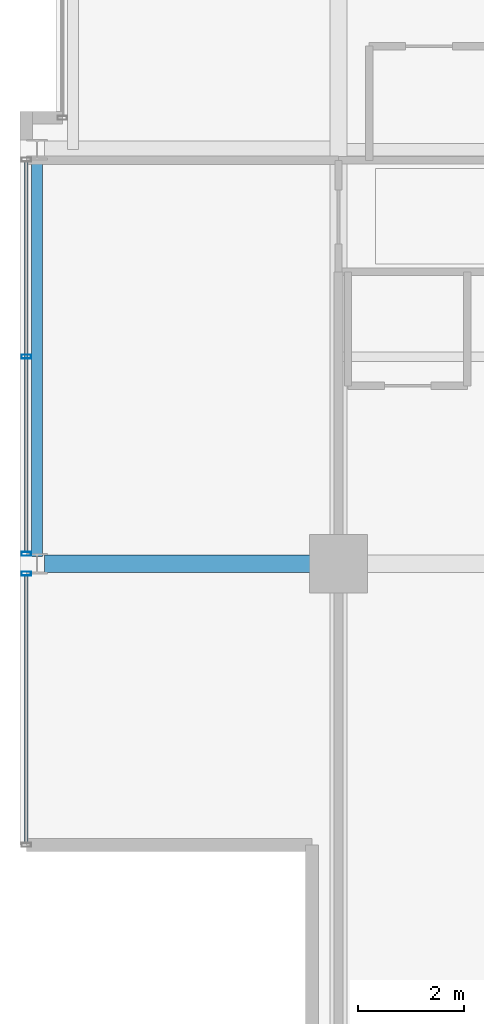
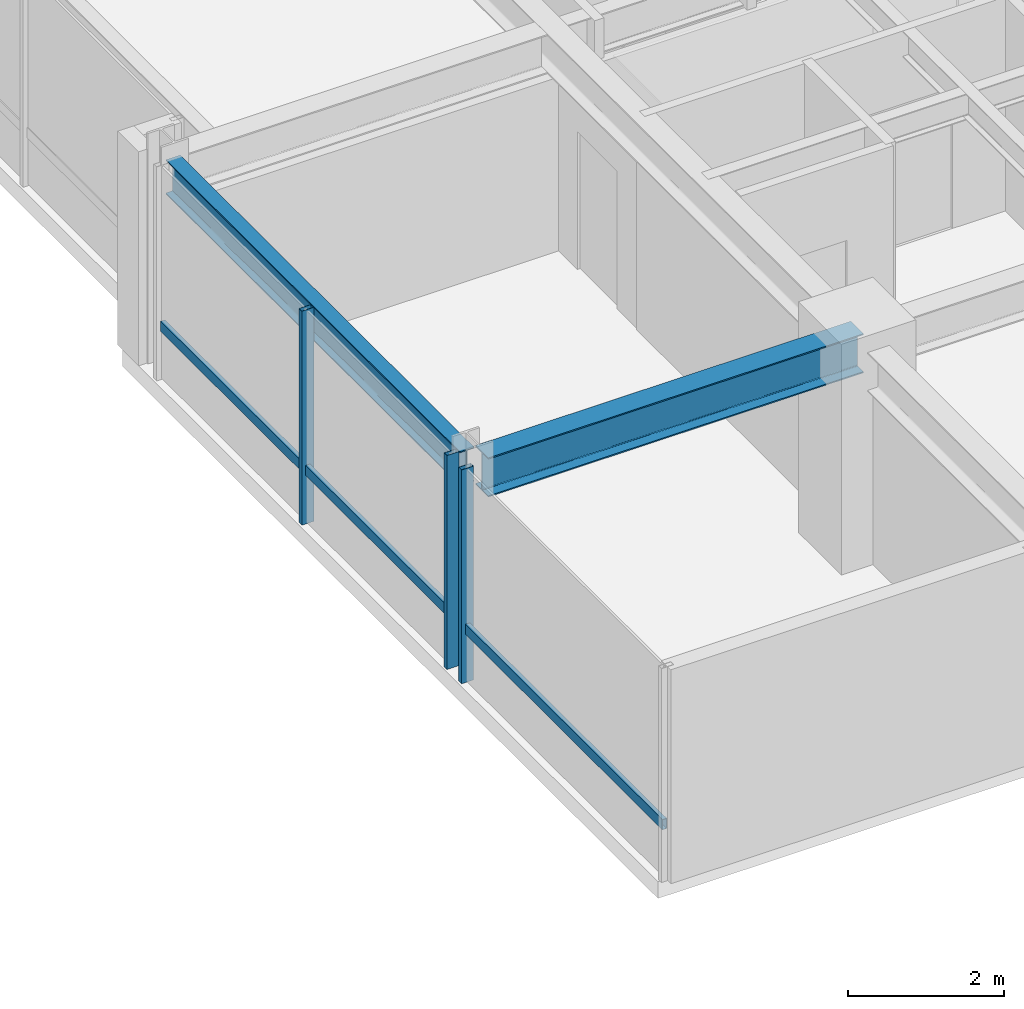
# One storey, part 4 of 34: 5 members, 2 beams, 2 elements without a shape of their own.
"""IFC4 building model written with IfcOpenShell, lengths in metres."""

from ifc_helpers import new_model, si_unit, direction, frame, origin, origin_2d, place, context, subcontext, project, spatial, hollow_rectangle, i_section, extrude, material, layer, layer_set, material_profile, profile_set, type_object, element, aggregate, save


model = new_model("IFC4")

# Units and contexts
model_context = context("Model", 3, precision=1e-05, world=origin(), true_north=direction((0.0, 1.0)))
body_context = subcontext(model_context, "Body", "Model", "MODEL_VIEW")
ifc_project = project(units=[si_unit("LENGTHUNIT", "METRE"), si_unit("AREAUNIT", "SQUARE_METRE"), si_unit("VOLUMEUNIT", "CUBIC_METRE"), si_unit("PLANEANGLEUNIT", "RADIAN"), si_unit("MASSUNIT", "GRAM", prefix="KILO")], contexts=[model_context])

# Site, building, storey
site_placement = place(None, origin())
site = spatial("IfcSite", under=ifc_project, at=site_placement, CompositionType="ELEMENT")
building_placement = place(site_placement, origin())
building = spatial("IfcBuilding", under=site, at=building_placement, Name="Drelvath Grand Hotel", CompositionType="ELEMENT")
storey_placement = place(building_placement, frame((0.0, 0.0, 208.699951171875)))
storey = spatial("IfcBuildingStorey", under=building, at=storey_placement, Name="L54", CompositionType="ELEMENT", Elevation=208.699951171875)

# Curtain wall, member
ifc_material_1 = material(Name="Platinum-Mist Anodised Aluminium Frame", Category="aluminium")
ifc_layer = layer(ifc_material_1, 0.199951171875)
ifc_layer_set = layer_set([ifc_layer], Name="Platinum-Mist Anodised Aluminium Frame")
curtain_wall_type = type_object("IfcCurtainWallType", Name="Stick Curtain Wall CW-05 Platinum Mist High-Rise", PredefinedType="NOTDEFINED", material=ifc_layer_set)
curtain_wall_1_placement = place(storey_placement, origin())
curtain_wall_1 = element("IfcCurtainWall", 1, at=curtain_wall_1_placement, inside=storey, type_object=curtain_wall_type, Name="L54 CW-05 Curtain Wall CW05-L54-WS1", PredefinedType="NOTDEFINED")
ifc_material_profile_1 = material_profile(ifc_material_1, hollow_rectangle(XDim=0.06494140625, YDim=0.159912109375, WallThickness=0.00390625, at=origin_2d()), Name="HSS160X65X4")
ifc_profile_set_1 = profile_set([ifc_material_profile_1], Name="Platinum-Mist Anodised Aluminium Frame")
member_type_1 = type_object("IfcMemberType", Name="Curtain Wall Horizontal Transom CW-05 HSS160X65X4", PredefinedType="USERDEFINED", material=ifc_profile_set_1)
member_1_placement = place(storey_placement, frame((-22.080078125, 5.5400390625, 0.8349609375), z_axis=(0.0, 1.0, 0.0), x_axis=(-1.0, 0.0, 0.0)))
member_1 = element("IfcMember", 2, at=member_1_placement, type_object=member_type_1, Name="CW05-L54-WS1 Sill Transom", ObjectType="TRANSOM", PredefinedType="USERDEFINED", context=body_context, shape_type="SweptSolid", body=[
    extrude(hollow_rectangle(XDim=0.06494140625, YDim=0.159912109375, WallThickness=0.00390625, at=origin_2d()), origin(), (0.0, 0.0, 1.0), 5.03466796875),
])

curtain_wall_2_placement = place(storey_placement, origin())
curtain_wall_2 = element("IfcCurtainWall", 3, at=curtain_wall_2_placement, inside=storey, type_object=curtain_wall_type, Name="L54 CW-05 Curtain Wall CW05-L54-WS2", PredefinedType="NOTDEFINED")
member_2_placement = place(storey_placement, frame((-22.080078125, 11.025390625, 0.8349609375), z_axis=(0.0, 1.0, 0.0), x_axis=(-1.0, 0.0, 0.0)))
member_2 = element("IfcMember", 4, at=member_2_placement, type_object=member_type_1, Name="CW05-L54-WS2 Sill Transom", ObjectType="TRANSOM", PredefinedType="USERDEFINED", context=body_context, shape_type="SweptSolid", body=[
    extrude(hollow_rectangle(XDim=0.06494140625, YDim=0.159912109375, WallThickness=0.00390625, at=origin_2d()), origin(), (0.0, 0.0, 1.0), 7.349365234375),
])

# Member
ifc_material_profile_2 = material_profile(ifc_material_1, hollow_rectangle(XDim=0.074951171875, YDim=0.179931640625, WallThickness=0.0048828125, at=origin_2d()), Name="HSS180X75X5")
ifc_profile_set_2 = profile_set([ifc_material_profile_2], Name="Platinum-Mist Anodised Aluminium Frame")
member_type_2 = type_object("IfcMemberType", Name="Curtain Wall Vertical Mullion CW-05 HSS180X75X5", PredefinedType="MULLION", material=ifc_profile_set_2)
member_3_placement = place(storey_placement, frame((-22.080078125, 10.61474609375, 0.0), z_axis=(0.0, 0.0, 1.0), x_axis=(0.0, 1.0, 0.0)))
member_3 = element("IfcMember", 5, at=member_3_placement, type_object=member_type_2, Name="CW05-L54-WS1 Mullion 2", PredefinedType="MULLION", context=body_context, shape_type="SweptSolid", body=[
    extrude(hollow_rectangle(XDim=0.074951171875, YDim=0.179931640625, WallThickness=0.0048828125, at=origin_2d()), origin(), (0.0, 0.0, 1.0), 3.340087890625),
])

aggregate(curtain_wall_1, [member_3, member_1])

member_4_placement = place(storey_placement, frame((-22.080078125, 10.9853515625, 0.0), z_axis=(0.0, 0.0, 1.0), x_axis=(0.0, 1.0, 0.0)))
member_4 = element("IfcMember", 6, at=member_4_placement, type_object=member_type_2, Name="CW05-L54-WS2 Mullion 1", PredefinedType="MULLION", context=body_context, shape_type="SweptSolid", body=[
    extrude(hollow_rectangle(XDim=0.074951171875, YDim=0.179931640625, WallThickness=0.0048828125, at=origin_2d()), origin(), (0.0, 0.0, 1.0), 3.340087890625),
])

member_5_placement = place(storey_placement, frame((-22.080078125, 14.699951171875, 0.0), z_axis=(0.0, 0.0, 1.0), x_axis=(0.0, 1.0, 0.0)))
member_5 = element("IfcMember", 7, at=member_5_placement, type_object=member_type_2, Name="CW05-L54-WS2 Mullion 2", PredefinedType="MULLION", context=body_context, shape_type="SweptSolid", body=[
    extrude(hollow_rectangle(XDim=0.074951171875, YDim=0.179931640625, WallThickness=0.0048828125, at=origin_2d()), origin(), (0.0, 0.0, 1.0), 3.340087890625),
])

aggregate(curtain_wall_2, [member_4, member_5, member_2])

# Beams
ifc_material_2 = material(Name="Steel ASTM A992 Gr 50", Category="steel")
ifc_material_profile_3 = material_profile(ifc_material_2, i_section(OverallWidth=0.210205078125, OverallDepth=0.53662109375, WebThickness=0.010986328125, FlangeThickness=0.017333984375, FilletRadius=0.01806640625, at=origin_2d()), Name="W21X68")
ifc_profile_set_3 = profile_set([ifc_material_profile_3], Name="Steel ASTM A992 Gr 50")
beam_type_1 = type_object("IfcBeamType", Name="Perimeter Spandrel Beam W21X68", PredefinedType="SPANDREL", material=ifc_profile_set_3)
beam_1_placement = place(storey_placement, frame((-21.8798828125, 10.93994140625, 3.071533203125), z_axis=(0.0, 1.0, 0.0), x_axis=(-1.0, 0.0, 0.0)))
element("IfcBeam", 8, at=beam_1_placement, inside=storey, type_object=beam_type_1, Name="L54 Spandrel West S", PredefinedType="SPANDREL", context=body_context, shape_type="SweptSolid", body=[
    extrude(i_section(OverallWidth=0.210205078125, OverallDepth=0.53662109375, WebThickness=0.010986328125, FlangeThickness=0.017333984375, FilletRadius=0.01806640625, at=origin_2d()), origin(), (0.0, 0.0, 1.0), 7.52001953125),
])
ifc_material_profile_4 = material_profile(ifc_material_2, i_section(OverallWidth=0.323974609375, OverallDepth=0.611083984375, WebThickness=0.0126953125, FlangeThickness=0.01904296875, FilletRadius=0.02197265625, at=origin_2d()), Name="W24X104")
ifc_profile_set_4 = profile_set([ifc_material_profile_4], Name="Steel ASTM A992 Gr 50")
beam_type_2 = type_object("IfcBeamType", Name="Primary Floor Girder W24X104", PredefinedType="BEAM", material=ifc_profile_set_4)
beam_2_placement = place(storey_placement, frame((-21.739990234375, 10.800048828125, 3.034423828125), z_axis=(1.0, 0.0, 0.0), x_axis=(0.0, 1.0, 0.0)))
element("IfcBeam", 9, at=beam_2_placement, inside=storey, type_object=beam_type_2, Name="L54 West Grid Girder C", PredefinedType="BEAM", context=body_context, shape_type="SweptSolid", body=[
    extrude(i_section(OverallWidth=0.323974609375, OverallDepth=0.611083984375, WebThickness=0.0126953125, FlangeThickness=0.01904296875, FilletRadius=0.02197265625, at=origin_2d()), origin(), (0.0, 0.0, 1.0), 5.5400390625),
])

save(model, "model.ifc")
